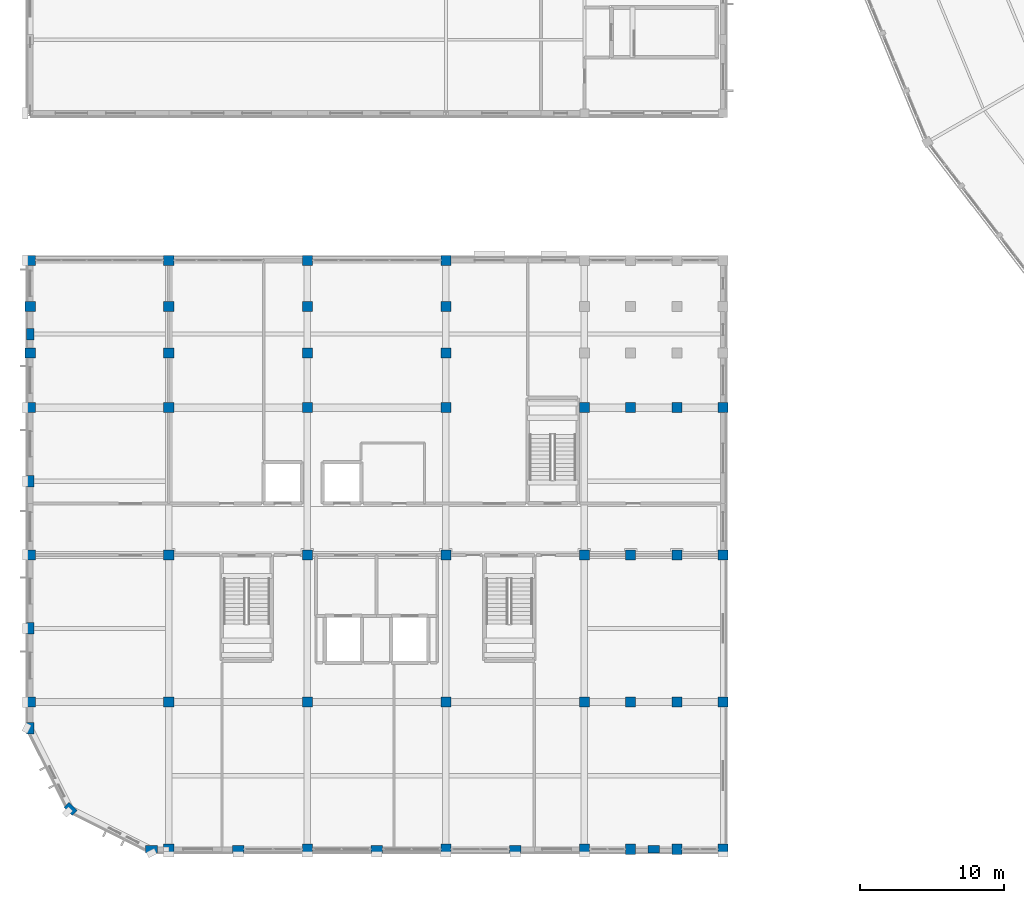
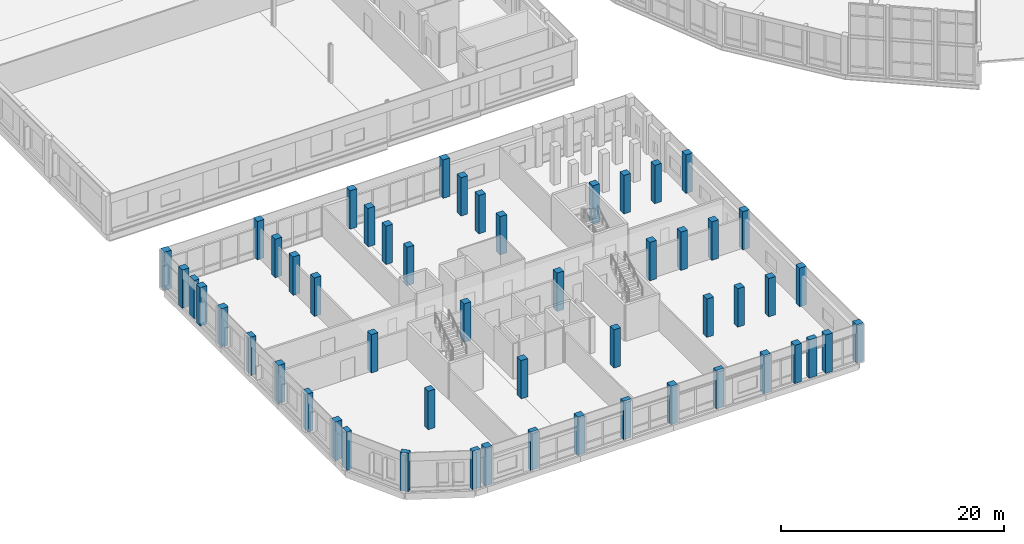
# One storey, part 1 of 185: 53 columns.
"""IFC4 building model written with IfcOpenShell, lengths in metres."""

from ifc_helpers import new_model, si_unit, direction, frame, origin, origin_2d, place, context, subcontext, project, spatial, rectangle, extrude, material, material_profile, profile_set, type_object, element, save


model = new_model("IFC4")

# Units and contexts
model_context = context("Model", 3, precision=1e-05, world=origin(), true_north=direction((0.0, 1.0)))
body_context = subcontext(model_context, "Body", "Model", "MODEL_VIEW")
ifc_project = project(units=[si_unit("LENGTHUNIT", "METRE"), si_unit("AREAUNIT", "SQUARE_METRE"), si_unit("VOLUMEUNIT", "CUBIC_METRE"), si_unit("PLANEANGLEUNIT", "RADIAN"), si_unit("MASSUNIT", "GRAM", prefix="KILO")], contexts=[model_context])

# Site, building, storey
site_placement = place(None, origin())
site = spatial("IfcSite", under=ifc_project, at=site_placement, CompositionType="ELEMENT")
building_placement = place(site_placement, origin())
building = spatial("IfcBuilding", under=site, at=building_placement, Name="Vondelvale Polytechnic", CompositionType="ELEMENT")
storey_placement = place(building_placement, frame((0.0, 0.0, 9.60009765625)))
storey = spatial("IfcBuildingStorey", under=building, at=storey_placement, Name="L02", CompositionType="ELEMENT", Elevation=9.60009765625)

# Columns
ifc_material = material(Name="Concrete N50 (f'c = 50 MPa)", Category="concrete")
ifc_material_profile_1 = material_profile(ifc_material, rectangle(XDim=0.699951171875, YDim=0.699951171875, at=origin_2d()), Name="RC-COL-700x700")
ifc_profile_set_1 = profile_set([ifc_material_profile_1], Name="Concrete N50 (f'c = 50 MPa)")
column_type_1 = type_object("IfcColumnType", Name="COL-RC700", PredefinedType="COLUMN", material=ifc_profile_set_1)
for number, where, z_axis, x_axis, name in (
    (1, (0.0, 10.199951171875, 0.0), (0.0, 0.0, 1.0), (1.0, 0.0, 0.0), "L02 corner wing column (0.0,10.2)"),
    (2, (0.0, 20.39990234375, 0.0), (0.0, 0.0, 1.0), (1.0, 0.0, 0.0), "L02 corner wing column (0.0,20.4)"),
    (3, (0.0, 30.60009765625, 0.0), (0.0, 0.0, 1.0), (1.0, 0.0, 0.0), "L02 corner wing column (0.0,30.6)"),
    (4, (0.0, 34.39990234375, 0.0), (0.0, 0.0, 1.0), (1.0, 0.0, 0.0), "L02 corner wing column (0.0,34.4)"),
    (5, (0.0, 37.60009765625, 0.0), (0.0, 0.0, 1.0), (1.0, 0.0, 0.0), "L02 corner wing column (0.0,37.6)"),
    (6, (0.0, 40.800048828125, 0.0), (0.0, 0.0, 1.0), (1.0, 0.0, 0.0), "L02 corner wing column (0.0,40.8)"),
    (7, (9.60009765625, 0.0, 0.0), (0.0, 0.0, 1.0), (1.0, 0.0, 0.0), "L02 corner wing column (9.6,0.0)"),
    (8, (9.60009765625, 10.199951171875, 0.0), (0.0, 0.0, 1.0), (1.0, 0.0, 0.0), "L02 corner wing column (9.6,10.2)"),
    (9, (9.60009765625, 20.39990234375, 0.0), (0.0, 0.0, 1.0), (1.0, 0.0, 0.0), "L02 corner wing column (9.6,20.4)"),
    (10, (9.60009765625, 30.60009765625, 0.0), (0.0, 0.0, 1.0), (1.0, 0.0, 0.0), "L02 corner wing column (9.6,30.6)"),
    (11, (9.60009765625, 34.39990234375, 0.0), (0.0, 0.0, 1.0), (1.0, 0.0, 0.0), "L02 corner wing column (9.6,34.4)"),
    (12, (9.60009765625, 37.60009765625, 0.0), (0.0, 0.0, 1.0), (1.0, 0.0, 0.0), "L02 corner wing column (9.6,37.6)"),
    (13, (9.60009765625, 40.800048828125, 0.0), (0.0, 0.0, 1.0), (1.0, 0.0, 0.0), "L02 corner wing column (9.6,40.8)"),
    (14, (19.199951171875, 0.0, 0.0), (0.0, 0.0, 1.0), (1.0, 0.0, 0.0), "L02 corner wing column (19.2,0.0)"),
    (15, (19.199951171875, 10.199951171875, 0.0), (0.0, 0.0, 1.0), (1.0, 0.0, 0.0), "L02 corner wing column (19.2,10.2)"),
    (16, (19.199951171875, 20.39990234375, 0.0), (0.0, 0.0, 1.0), (1.0, 0.0, 0.0), "L02 corner wing column (19.2,20.4)"),
    (17, (19.199951171875, 30.60009765625, 0.0), (0.0, 0.0, 1.0), (1.0, 0.0, 0.0), "L02 corner wing column (19.2,30.6)"),
    (18, (19.199951171875, 34.39990234375, 0.0), (0.0, 0.0, 1.0), (1.0, 0.0, 0.0), "L02 corner wing column (19.2,34.4)"),
    (19, (19.199951171875, 37.60009765625, 0.0), (0.0, 0.0, 1.0), (1.0, 0.0, 0.0), "L02 corner wing column (19.2,37.6)"),
    (20, (19.199951171875, 40.800048828125, 0.0), (0.0, 0.0, 1.0), (1.0, 0.0, 0.0), "L02 corner wing column (19.2,40.8)"),
    (21, (28.800048828125, 0.0, 0.0), (0.0, 0.0, 1.0), (1.0, 0.0, 0.0), "L02 corner wing column (28.8,0.0)"),
    (22, (28.800048828125, 10.199951171875, 0.0), (0.0, 0.0, 1.0), (1.0, 0.0, 0.0), "L02 corner wing column (28.8,10.2)"),
    (23, (28.800048828125, 20.39990234375, 0.0), (0.0, 0.0, 1.0), (1.0, 0.0, 0.0), "L02 corner wing column (28.8,20.4)"),
    (24, (28.800048828125, 30.60009765625, 0.0), (0.0, 0.0, 1.0), (1.0, 0.0, 0.0), "L02 corner wing column (28.8,30.6)"),
    (25, (28.800048828125, 34.39990234375, 0.0), (0.0, 0.0, 1.0), (1.0, 0.0, 0.0), "L02 corner wing column (28.8,34.4)"),
    (26, (28.800048828125, 37.60009765625, 0.0), (0.0, 0.0, 1.0), (1.0, 0.0, 0.0), "L02 corner wing column (28.8,37.6)"),
    (27, (28.800048828125, 40.800048828125, 0.0), (0.0, 0.0, 1.0), (1.0, 0.0, 0.0), "L02 corner wing column (28.8,40.8)"),
    (28, (38.39990234375, 0.0, 0.0), (0.0, 0.0, 1.0), (1.0, 0.0, 0.0), "L02 corner wing column (38.4,0.0)"),
    (29, (38.39990234375, 10.199951171875, 0.0), (0.0, 0.0, 1.0), (1.0, 0.0, 0.0), "L02 corner wing column (38.4,10.2)"),
    (30, (38.39990234375, 20.39990234375, 0.0), (0.0, 0.0, 1.0), (1.0, 0.0, 0.0), "L02 corner wing column (38.4,20.4)"),
    (31, (38.39990234375, 30.60009765625, 0.0), (0.0, 0.0, 1.0), (1.0, 0.0, 0.0), "L02 corner wing column (38.4,30.6)"),
    (32, (41.60009765625, 0.0, 0.0), (0.0, 0.0, 1.0), (1.0, 0.0, 0.0), "L02 corner wing column (41.6,0.0)"),
    (33, (41.60009765625, 10.199951171875, 0.0), (0.0, 0.0, 1.0), (1.0, 0.0, 0.0), "L02 corner wing column (41.6,10.2)"),
    (34, (41.60009765625, 20.39990234375, 0.0), (0.0, 0.0, 1.0), (1.0, 0.0, 0.0), "L02 corner wing column (41.6,20.4)"),
    (35, (41.60009765625, 30.60009765625, 0.0), (0.0, 0.0, 1.0), (1.0, 0.0, 0.0), "L02 corner wing column (41.6,30.6)"),
    (36, (44.800048828125, 0.0, 0.0), (0.0, 0.0, 1.0), (1.0, 0.0, 0.0), "L02 corner wing column (44.8,0.0)"),
    (37, (44.800048828125, 10.199951171875, 0.0), (0.0, 0.0, 1.0), (1.0, 0.0, 0.0), "L02 corner wing column (44.8,10.2)"),
    (38, (44.800048828125, 20.39990234375, 0.0), (0.0, 0.0, 1.0), (1.0, 0.0, 0.0), "L02 corner wing column (44.8,20.4)"),
    (39, (44.800048828125, 30.60009765625, 0.0), (0.0, 0.0, 1.0), (1.0, 0.0, 0.0), "L02 corner wing column (44.8,30.6)"),
    (40, (48.0, 0.0, 0.0), (0.0, 0.0, 1.0), (1.0, 0.0, 0.0), "L02 corner wing column (48.0,0.0)"),
    (41, (48.0, 10.199951171875, 0.0), (0.0, 0.0, 1.0), (1.0, 0.0, 0.0), "L02 corner wing column (48.0,10.2)"),
    (42, (48.0, 20.39990234375, 0.0), (0.0, 0.0, 1.0), (1.0, 0.0, 0.0), "L02 corner wing column (48.0,20.4)"),
    (43, (48.0, 30.60009765625, 0.0), (0.0, 0.0, 1.0), (1.0, 0.0, 0.0), "L02 corner wing column (48.0,30.6)"),
):
    element("IfcColumn", number, at=place(storey_placement, frame(where, z_axis=z_axis, x_axis=x_axis)), inside=storey, type_object=column_type_1, Name=name, PredefinedType="COLUMN", context=body_context, shape_type="SweptSolid", body=[
        extrude(rectangle(XDim=0.699951171875, YDim=0.699951171875, at=origin_2d()), origin(), (0.0, 0.0, 1.0), 4.199951171875),
    ])
ifc_material_profile_2 = material_profile(ifc_material, rectangle(XDim=0.5, YDim=0.800048828125, at=origin_2d()), Name="RC-PIL-800x500")
ifc_profile_set_2 = profile_set([ifc_material_profile_2], Name="Concrete N50 (f'c = 50 MPa)")
column_type_2 = type_object("IfcColumnType", Name="PIL-RC800x500", PredefinedType="PILASTER", material=ifc_profile_set_2)
for number, where, z_axis, x_axis, name in (
    (44, (8.39990234375, 0.0, 0.0), (0.0, 0.0, 1.0), (0.0, 1.0, 0.0), "L02 SW corner turret pier TR-S"),
    (45, (2.800048828125, 2.800048828125, 0.0), (0.0, 0.0, 1.0), (0.707106781187, 0.707106781187, 0.0), "L02 SW corner turret pier TR-M"),
    (46, (0.0, 8.39990234375, 0.0), (0.0, 0.0, 1.0), (1.0, 0.0, 0.0), "L02 SW corner turret pier TR-W"),
    (47, (14.39990234375, 0.0, 0.0), (0.0, 0.0, 1.0), (0.0, 1.0, 0.0), "L02 South street brick pilaster 1"),
    (48, (24.0, 0.0, 0.0), (0.0, 0.0, 1.0), (0.0, 1.0, 0.0), "L02 South street brick pilaster 2"),
    (49, (33.60009765625, 0.0, 0.0), (0.0, 0.0, 1.0), (0.0, 1.0, 0.0), "L02 South street brick pilaster 3"),
    (50, (43.199951171875, 0.0, 0.0), (0.0, 0.0, 1.0), (0.0, 1.0, 0.0), "L02 South street brick pilaster 4"),
    (51, (0.0, 15.300048828125, 0.0), (0.0, 0.0, 1.0), (1.0, 0.0, 0.0), "L02 West street brick pilaster 1"),
    (52, (0.0, 25.5, 0.0), (0.0, 0.0, 1.0), (1.0, 0.0, 0.0), "L02 West street brick pilaster 2"),
    (53, (0.0, 35.699951171875, 0.0), (0.0, 0.0, 1.0), (1.0, 0.0, 0.0), "L02 West street brick pilaster 3"),
):
    element("IfcColumn", number, at=place(storey_placement, frame(where, z_axis=z_axis, x_axis=x_axis)), inside=storey, type_object=column_type_2, Name=name, PredefinedType="PILASTER", context=body_context, shape_type="SweptSolid", body=[
        extrude(rectangle(XDim=0.5, YDim=0.800048828125, at=origin_2d()), origin(), (0.0, 0.0, 1.0), 4.199951171875),
    ])

save(model, "model.ifc")
